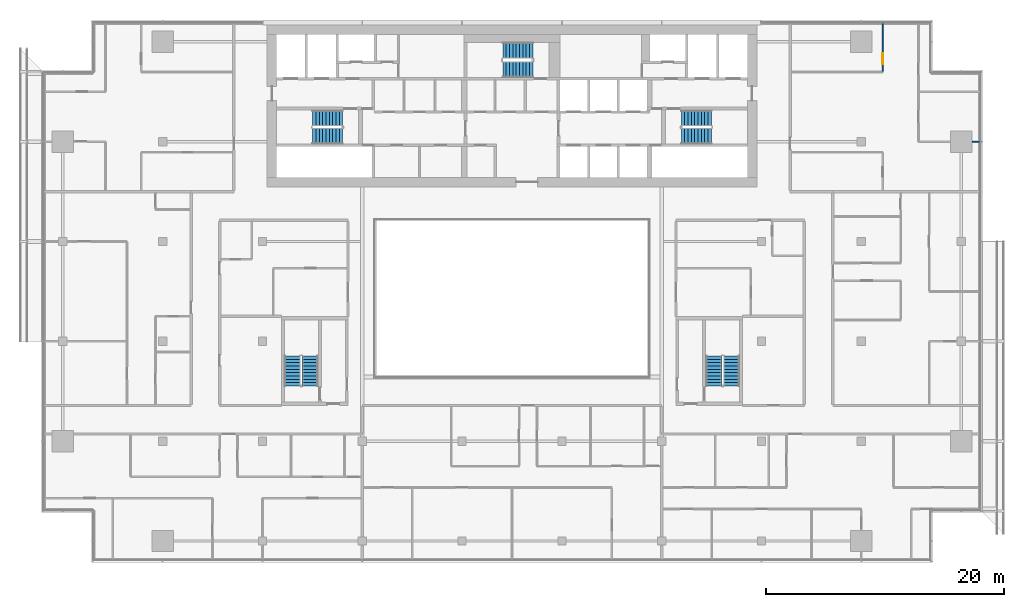
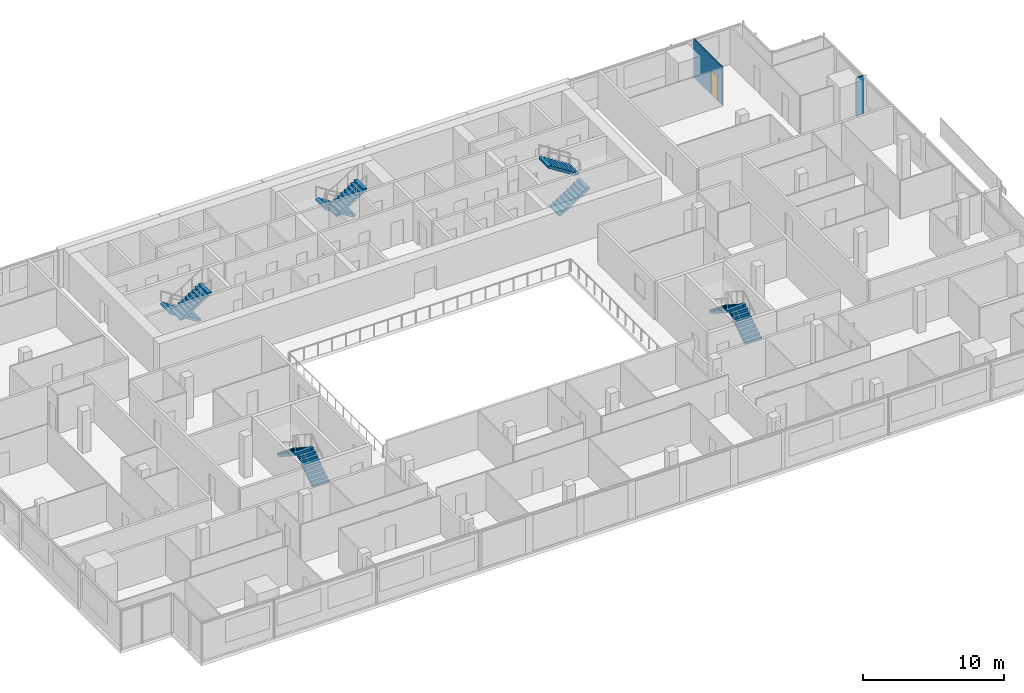
# One storey, part 23 of 27: 10 stair flights, 2 walls, 1 door, 1 opening, 5 elements without a shape of their own.
"""IFC4 building model written with IfcOpenShell, lengths in metres."""

import ifcopenshell
import ifcopenshell.guid

model = None  # the IFC model being written
_history = None  # IfcOwnerHistory: only IFC2X3 demands one
_inside = {}  # id of a spatial element -> (the spatial element, [elements in it])
_under = {}  # id of a project, library or spatial element -> (it, [spatial elements below it])
_declared = {}  # id of a project -> (the project, [libraries it declares])
_typed = {}  # id of a type object -> (the type object, [elements of that type])
_made_of = {}  # id of a material, layer set ... -> (it, [elements and type objects made of it])


def new_model(schema):
    """Start an empty IFC model of exactly this schema.

    Asked for "IFC4X3", IfcOpenShell would pick the latest addendum, in which some entities
    have other attributes; the version numbers below select the first issue.
    IFC2X3 requires an IfcOwnerHistory on every rooted entity: one is made here for all.
    """
    global model, _history
    if schema == "IFC4X3":
        model = ifcopenshell.file(schema_version=(4, 3, 0, 0))
    else:
        model = ifcopenshell.file(schema=schema)
    _inside.clear()
    _under.clear()
    _declared.clear()
    _typed.clear()
    _made_of.clear()
    _history = None
    if model.schema == "IFC2X3":
        org = make("IfcOrganization", Name="unknown")
        user = make(
            "IfcPersonAndOrganization",
            ThePerson=make("IfcPerson", FamilyName="unknown"),
            TheOrganization=org,
        )
        app = make(
            "IfcApplication",
            ApplicationDeveloper=org,
            Version="unknown",
            ApplicationFullName="unknown",
            ApplicationIdentifier="unknown",
        )
        _history = make(
            "IfcOwnerHistory",
            OwningUser=user,
            OwningApplication=app,
            ChangeAction="ADDED",
            CreationDate=0,
        )
    return model


def make(cls, **values):
    """One entity of the class cls with the attributes given. An attribute that is None is left unset."""
    return model.create_entity(
        cls, **{name: value for name, value in values.items() if value is not None}
    )


def rooted(cls, **values):
    """An entity with a GlobalId (a new one), such as an element, a storey or a relation."""
    return make(cls, GlobalId=ifcopenshell.guid.new(), OwnerHistory=_history, **values)


def si_unit(unit_type, name, prefix=None):
    """IfcSIUnit, for example si_unit("LENGTHUNIT", "METRE", prefix="MILLI")."""
    return make("IfcSIUnit", UnitType=unit_type, Prefix=prefix, Name=name)


def assignment(units):
    """IfcUnitAssignment: the units of a project."""
    return None if units is None else make("IfcUnitAssignment", Units=units)


def point(xyz):
    """IfcCartesianPoint."""
    return None if xyz is None else make("IfcCartesianPoint", Coordinates=xyz)


def direction(xyz):
    """IfcDirection."""
    return None if xyz is None else make("IfcDirection", DirectionRatios=xyz)


def frame(location, z_axis=None, x_axis=None):
    """IfcAxis2Placement3D, a coordinate frame: its origin and axes. An axis left out is left unset."""
    return make(
        "IfcAxis2Placement3D",
        Location=point(location),
        Axis=direction(z_axis),
        RefDirection=direction(x_axis),
    )


def frame_2d(location, x_axis=None):
    """IfcAxis2Placement2D, a coordinate frame in the plane: its origin and x axis."""
    return make(
        "IfcAxis2Placement2D", Location=point(location), RefDirection=direction(x_axis)
    )


def origin():
    """The frame at (0, 0, 0) with its axes left unset."""
    return frame((0.0, 0.0, 0.0))


def place(relative_to, where):
    """IfcLocalPlacement: puts the frame where relative to a parent placement (None: the world)."""
    return make(
        "IfcLocalPlacement", PlacementRelTo=relative_to, RelativePlacement=where
    )


def context(
    kind, dimensions, precision=None, world=None, true_north=None, identifier=None
):
    """IfcGeometricRepresentationContext, for example the 3D "Model" context."""
    return make(
        "IfcGeometricRepresentationContext",
        ContextIdentifier=identifier,
        ContextType=kind,
        CoordinateSpaceDimension=dimensions,
        Precision=precision,
        WorldCoordinateSystem=world,
        TrueNorth=true_north,
    )


def subcontext(parent, identifier, kind, view, scale=None):
    """IfcGeometricRepresentationSubContext, for example "Body" below "Model"."""
    return make(
        "IfcGeometricRepresentationSubContext",
        ContextIdentifier=identifier,
        ContextType=kind,
        ParentContext=parent,
        TargetScale=scale,
        TargetView=view,
    )


def project(units=None, contexts=None):
    """IfcProject with its units and contexts."""
    return rooted(
        "IfcProject",
        Name="project",
        RepresentationContexts=contexts,
        UnitsInContext=assignment(units),
    )


def spatial(cls, under=None, at=None, **own):
    """A site, building, storey or space (cls), placed at a placement, below another one or the project."""
    s = rooted(cls, ObjectPlacement=at, **own)
    if under is not None:
        _under.setdefault(under.id(), (under, []))[1].append(s)
    return s


def polyline(points):
    """IfcPolyline through the points."""
    return make("IfcPolyline", Points=[point(p) for p in points])


def profile(cls, at=None, kind="AREA", **sizes):
    """A parametric profile (cls). Its sizes go by their IFC names, for example OverallWidth=200.0."""
    return make(cls, ProfileType=kind, Position=at, **sizes)


def rectangle(**sizes):
    """IfcRectangleProfileDef."""
    return profile("IfcRectangleProfileDef", **sizes)


def outline(outer, holes=None, kind="AREA"):
    """IfcArbitraryClosedProfileDef: a profile drawn as a closed curve; with holes, ...WithVoids."""
    if holes is None:
        return make("IfcArbitraryClosedProfileDef", ProfileType=kind, OuterCurve=outer)
    return make(
        "IfcArbitraryProfileDefWithVoids",
        ProfileType=kind,
        OuterCurve=outer,
        InnerCurves=holes,
    )


def extrude(swept, where, along, depth):
    """IfcExtrudedAreaSolid: the profile swept, set in the frame where, extruded along a direction by depth."""
    return make(
        "IfcExtrudedAreaSolid",
        SweptArea=swept,
        Position=where,
        ExtrudedDirection=direction(along),
        Depth=depth,
    )


def shape(context_of_items, identifier, shape_type, items):
    """IfcShapeRepresentation: the items that make up one representation, for example the "Body"."""
    return make(
        "IfcShapeRepresentation",
        ContextOfItems=context_of_items,
        RepresentationIdentifier=identifier,
        RepresentationType=shape_type,
        Items=items,
    )


def material(Name=None, Category=None):
    """IfcMaterial."""
    return make("IfcMaterial", Name=Name, Category=Category)


def layer(
    of_material, thickness, ventilated=None, Name=None, Category=None, Priority=None
):
    """IfcMaterialLayer: one layer of a wall or slab, of a material (None: an air gap)."""
    return make(
        "IfcMaterialLayer",
        Material=of_material,
        LayerThickness=thickness,
        IsVentilated=ventilated,
        Name=Name,
        Category=Category,
        Priority=Priority,
    )


def layer_set(layers, Name=None):
    """IfcMaterialLayerSet."""
    return make("IfcMaterialLayerSet", MaterialLayers=layers, LayerSetName=Name)


def made_of(thing, what):
    """Note that an element or type object is made of a material, layer set ...; save() writes the relation."""
    if what is not None:
        _made_of.setdefault(what.id(), (what, []))[1].append(thing)
    return thing


def type_object(cls, material=None, **own):
    """A type object (cls), such as IfcWallType, which elements share."""
    return made_of(rooted(cls, **own), material)


def element(
    cls,
    number,
    at=None,
    inside=None,
    cuts=None,
    type_object=None,
    material=None,
    context=None,
    identifier="Body",
    shape_type=None,
    held_by="IfcProductDefinitionShape",
    body=None,
    shapes=None,
    **own,
):
    """One element of the class cls, such as IfcWall. Its Tag is "e" and its number.

    at: its placement. inside: the storey or other place that contains it. cuts: it is an
    opening in that element (IfcRelVoidsElement). A single representation is given by context,
    identifier, shape_type and body (its items); several are given by shapes. held_by: the class
    of the entity that holds the representations. save() writes the other relations.
    """
    e = rooted(cls, Tag="e%d" % number, ObjectPlacement=at, **own)
    if body is not None:
        shapes = [shape(context, identifier, shape_type, body)]
    if shapes is not None:
        e.Representation = make(held_by, Representations=shapes)
    if inside is not None:
        _inside.setdefault(inside.id(), (inside, []))[1].append(e)
    if cuts is not None:
        rooted(
            "IfcRelVoidsElement", RelatingBuildingElement=cuts, RelatedOpeningElement=e
        )
    if type_object is not None:
        _typed.setdefault(type_object.id(), (type_object, []))[1].append(e)
    return made_of(e, material)


def fill(opening, filler):
    """IfcRelFillsElement: the door or window that sits in an opening."""
    return rooted(
        "IfcRelFillsElement",
        RelatingOpeningElement=opening,
        RelatedBuildingElement=filler,
    )


def aggregate(whole, parts):
    """IfcRelAggregates: a whole, such as a stair, and the parts it consists of."""
    return rooted("IfcRelAggregates", RelatingObject=whole, RelatedObjects=parts)


def save(model, path):
    """Write the relations noted so far, then the file.

    IfcRelAggregates (storeys below a building ...), IfcRelContainedInSpatialStructure (elements
    in a storey), IfcRelDefinesByType, IfcRelAssociatesMaterial and IfcRelDeclares: one each for
    every whole, place, type object, material and project.
    """
    for whole, parts in _under.values():
        aggregate(whole, parts)
    for where, things in _inside.values():
        rooted(
            "IfcRelContainedInSpatialStructure",
            RelatedElements=things,
            RelatingStructure=where,
        )
    for kind, things in _typed.values():
        rooted("IfcRelDefinesByType", RelatedObjects=things, RelatingType=kind)
    for what, things in _made_of.values():
        rooted("IfcRelAssociatesMaterial", RelatedObjects=things, RelatingMaterial=what)
    for by, libraries in _declared.values():
        rooted("IfcRelDeclares", RelatingContext=by, RelatedDefinitions=libraries)
    model.write(path)


model = new_model("IFC4")

# Units and contexts
model_context = context("Model", 3, precision=1e-05, world=origin(), true_north=direction((0.0, 1.0)))
body_context = subcontext(model_context, "Body", "Model", "MODEL_VIEW")
ifc_project = project(units=[si_unit("LENGTHUNIT", "METRE"), si_unit("AREAUNIT", "SQUARE_METRE"), si_unit("VOLUMEUNIT", "CUBIC_METRE"), si_unit("PLANEANGLEUNIT", "RADIAN"), si_unit("MASSUNIT", "GRAM", prefix="KILO")], contexts=[model_context])

# Site, building, storey
site_placement = place(None, origin())
site = spatial("IfcSite", under=ifc_project, at=site_placement, CompositionType="ELEMENT")
building_placement = place(site_placement, origin())
building = spatial("IfcBuilding", under=site, at=building_placement, Name="Saffron Gate Tower", CompositionType="ELEMENT")
storey_placement = place(building_placement, frame((0.0, 0.0, 183.449951171875)))
storey = spatial("IfcBuildingStorey", under=building, at=storey_placement, Name="L45", CompositionType="ELEMENT", Elevation=183.449951171875)

# Wall
ifc_material_1 = material(Name="Plasterboard on steel studs", Category="steel")
ifc_layer = layer(ifc_material_1, 0.10009765625)
ifc_layer_set = layer_set([ifc_layer], Name="PW1 Partition 100")
wall_type = type_object("IfcWallType", Name="PW1 Partition 100", PredefinedType="PARTITIONING", material=ifc_layer_set)
wall_1_placement = place(storey_placement, frame((126.320068359375, 65.39990234375, 0.0), z_axis=(0.0, 0.0, 1.0), x_axis=(1.0, 0.0, 0.0)))
element("IfcWall", 1, at=wall_1_placement, inside=storey, type_object=wall_type, Name="Partition C4-52", PredefinedType="PARTITIONING", context=body_context, shape_type="SweptSolid", body=[
    extrude(rectangle(XDim=0.599853515625, YDim=0.10009765625, at=frame_2d((0.2998046875, 0.0))), origin(), (0.0, 0.0, 1.0), 3.320068359375),
])

# Wall, opening, door
wall_2_placement = place(storey_placement, frame((118.800048828125, 71.306396484375, 0.0), z_axis=(0.0, 0.0, 1.0), x_axis=(0.0, 1.0, 0.0)))
wall_2 = element("IfcWall", 2, at=wall_2_placement, inside=storey, type_object=wall_type, Name="Partition C4-107", PredefinedType="PARTITIONING", context=body_context, shape_type="SweptSolid", body=[
    extrude(rectangle(XDim=4.013671875, YDim=0.10009765625, at=frame_2d((2.0068359375, 0.0))), origin(), (0.0, 0.0, 1.0), 3.320068359375),
])
opening_placement = place(wall_2_placement, frame((0.621826171875, 0.0, 0.0)))
opening = element("IfcOpeningElement", 3, at=opening_placement, cuts=wall_2, Name="Opening C4-37", PredefinedType="OPENING", context=body_context, shape_type="SweptSolid", body=[
    extrude(rectangle(XDim=0.89990234375, YDim=2.10009765625, at=frame_2d((0.449951171875, 1.050048828125))), frame((0.0, 0.06005859375, 0.0), z_axis=(0.0, -1.0, 0.0), x_axis=(1.0, 0.0, 0.0)), (0.0, 0.0, 1.0), 0.1201171875),
])
ifc_material_2 = material(Name="Timber door set", Category="wood")
door_type = type_object("IfcDoorType", Name="RD1 Room door 900x2100", OperationType="NOTDEFINED", PredefinedType="DOOR", material=ifc_material_2)
door_placement = place(opening_placement, origin())
door = element("IfcDoor", 4, at=door_placement, inside=storey, type_object=door_type, Name="Door C4-37", OperationType="SINGLE_SWING_LEFT", OverallHeight=2.10009765625, OverallWidth=0.89990234375, PredefinedType="DOOR", context=body_context, shape_type="SweptSolid", body=[
    extrude(rectangle(XDim=0.89990234375, YDim=2.10009765625, at=frame_2d((0.449951171875, 1.050048828125))), frame((0.0, 0.02490234375, 0.0), z_axis=(0.0, -1.0, 0.0), x_axis=(1.0, 0.0, 0.0)), (0.0, 0.0, 1.0), 0.050048828125),
])
fill(opening, door)

# Stair, stair flights
ifc_material_3 = material(Name="Concrete C40", Category="concrete")
stair_type = type_object("IfcStairType", Name="ST7 Stair 1350 wide, 20 risers of 180", PredefinedType="HALF_TURN_STAIR", material=ifc_material_3)
stair_1_placement = place(storey_placement, origin())
stair_1 = element("IfcStair", 5, at=stair_1_placement, inside=storey, type_object=stair_type, Name="L45 Exit stair A", PredefinedType="HALF_TURN_STAIR")
stair_flight_type = type_object("IfcStairFlightType", Name="SF3 Stair flight 1350 wide, riser 180 going 280", PredefinedType="STRAIGHT", material=ifc_material_3)
stair_flight_1_placement = place(storey_placement, frame((73.35009765625, 67.375, 0.0), z_axis=(0.0, 0.0, 1.0), x_axis=(-1.0, 0.0, 0.0)))
stair_flight_1 = element("IfcStairFlight", 6, at=stair_flight_1_placement, type_object=stair_flight_type, Name="ST-A flight 1", NumberOfRisers=10, NumberOfTreads=9, PredefinedType="STRAIGHT", RiserHeight=0.18, TreadLength=0.28, context=body_context, shape_type="SweptSolid", body=[
    extrude(outline(polyline([(0.0, 0.0), (0.0, 0.179931640625), (0.280029296875, 0.179931640625), (0.280029296875, 0.360107421875), (0.56005859375, 0.360107421875), (0.56005859375, 0.5400390625), (0.840087890625, 0.5400390625), (0.840087890625, 0.719970703125), (1.1201171875, 0.719970703125), (1.1201171875, 0.89990234375), (1.39990234375, 0.89990234375), (1.39990234375, 1.080078125), (1.679931640625, 1.080078125), (1.679931640625, 1.260009765625), (1.9599609375, 1.260009765625), (1.9599609375, 1.43994140625), (2.239990234375, 1.43994140625), (2.239990234375, 1.6201171875), (2.52001953125, 1.6201171875), (2.52001953125, 1.800048828125), (2.52001953125, 1.44189453125), (0.277099609375, 0.0), (0.0, 0.0)])), frame((0.0, 0.675048828125, 0.0), z_axis=(0.0, -1.0, 0.0), x_axis=(1.0, 0.0, 0.0)), (0.0, 0.0, 1.0), 1.35009765625),
])
stair_flight_2_placement = place(storey_placement, frame((70.830078125, 65.875, 1.800048828125), z_axis=(0.0, 0.0, 1.0), x_axis=(1.0, 0.0, 0.0)))
stair_flight_2 = element("IfcStairFlight", 7, at=stair_flight_2_placement, type_object=stair_flight_type, Name="ST-A flight 2", NumberOfRisers=10, NumberOfTreads=9, PredefinedType="STRAIGHT", RiserHeight=0.18, TreadLength=0.28, context=body_context, shape_type="SweptSolid", body=[
    extrude(outline(polyline([(0.0, 0.0), (0.0, 0.179931640625), (0.280029296875, 0.179931640625), (0.280029296875, 0.360107421875), (0.56005859375, 0.360107421875), (0.56005859375, 0.5400390625), (0.840087890625, 0.5400390625), (0.840087890625, 0.719970703125), (1.1201171875, 0.719970703125), (1.1201171875, 0.89990234375), (1.39990234375, 0.89990234375), (1.39990234375, 1.080078125), (1.679931640625, 1.080078125), (1.679931640625, 1.260009765625), (1.9599609375, 1.260009765625), (1.9599609375, 1.43994140625), (2.239990234375, 1.43994140625), (2.239990234375, 1.6201171875), (2.52001953125, 1.6201171875), (2.52001953125, 1.800048828125), (2.52001953125, 1.44189453125), (0.277099609375, 0.0), (0.0, 0.0)])), frame((0.0, 0.675048828125, 0.0), z_axis=(0.0, -1.0, 0.0), x_axis=(1.0, 0.0, 0.0)), (0.0, 0.0, 1.0), 1.35009765625),
])
aggregate(stair_1, [stair_flight_1, stair_flight_2])

stair_2_placement = place(storey_placement, origin())
stair_2 = element("IfcStair", 8, at=stair_2_placement, inside=storey, type_object=stair_type, Name="L45 Exit stair B", PredefinedType="HALF_TURN_STAIR")
stair_flight_3_placement = place(storey_placement, frame((101.85009765625, 65.875, 0.0), z_axis=(0.0, 0.0, 1.0), x_axis=(1.0, 0.0, 0.0)))
stair_flight_3 = element("IfcStairFlight", 9, at=stair_flight_3_placement, type_object=stair_flight_type, Name="ST-B flight 1", NumberOfRisers=10, NumberOfTreads=9, PredefinedType="STRAIGHT", RiserHeight=0.18, TreadLength=0.28, context=body_context, shape_type="SweptSolid", body=[
    extrude(outline(polyline([(0.0, 0.0), (0.0, 0.179931640625), (0.280029296875, 0.179931640625), (0.280029296875, 0.360107421875), (0.56005859375, 0.360107421875), (0.56005859375, 0.5400390625), (0.840087890625, 0.5400390625), (0.840087890625, 0.719970703125), (1.1201171875, 0.719970703125), (1.1201171875, 0.89990234375), (1.39990234375, 0.89990234375), (1.39990234375, 1.080078125), (1.679931640625, 1.080078125), (1.679931640625, 1.260009765625), (1.9599609375, 1.260009765625), (1.9599609375, 1.43994140625), (2.239990234375, 1.43994140625), (2.239990234375, 1.6201171875), (2.52001953125, 1.6201171875), (2.52001953125, 1.800048828125), (2.52001953125, 1.44189453125), (0.277099609375, 0.0), (0.0, 0.0)])), frame((0.0, 0.675048828125, 0.0), z_axis=(0.0, -1.0, 0.0), x_axis=(1.0, 0.0, 0.0)), (0.0, 0.0, 1.0), 1.35009765625),
])
stair_flight_4_placement = place(storey_placement, frame((104.3701171875, 67.375, 1.800048828125), z_axis=(0.0, 0.0, 1.0), x_axis=(-1.0, 0.0, 0.0)))
stair_flight_4 = element("IfcStairFlight", 10, at=stair_flight_4_placement, type_object=stair_flight_type, Name="ST-B flight 2", NumberOfRisers=10, NumberOfTreads=9, PredefinedType="STRAIGHT", RiserHeight=0.18, TreadLength=0.28, context=body_context, shape_type="SweptSolid", body=[
    extrude(outline(polyline([(0.0, 0.0), (0.0, 0.179931640625), (0.280029296875, 0.179931640625), (0.280029296875, 0.360107421875), (0.56005859375, 0.360107421875), (0.56005859375, 0.5400390625), (0.840087890625, 0.5400390625), (0.840087890625, 0.719970703125), (1.1201171875, 0.719970703125), (1.1201171875, 0.89990234375), (1.39990234375, 0.89990234375), (1.39990234375, 1.080078125), (1.679931640625, 1.080078125), (1.679931640625, 1.260009765625), (1.9599609375, 1.260009765625), (1.9599609375, 1.43994140625), (2.239990234375, 1.43994140625), (2.239990234375, 1.6201171875), (2.52001953125, 1.6201171875), (2.52001953125, 1.800048828125), (2.52001953125, 1.44189453125), (0.277099609375, 0.0), (0.0, 0.0)])), frame((0.0, 0.675048828125, 0.0), z_axis=(0.0, -1.0, 0.0), x_axis=(1.0, 0.0, 0.0)), (0.0, 0.0, 1.0), 1.35009765625),
])
aggregate(stair_2, [stair_flight_3, stair_flight_4])

stair_3_placement = place(storey_placement, origin())
stair_3 = element("IfcStair", 11, at=stair_3_placement, inside=storey, type_object=stair_type, Name="L45 Exit stair C", PredefinedType="HALF_TURN_STAIR")
stair_flight_5_placement = place(storey_placement, frame((89.35009765625, 73.074951171875, 0.0), z_axis=(0.0, 0.0, 1.0), x_axis=(-1.0, 0.0, 0.0)))
stair_flight_5 = element("IfcStairFlight", 12, at=stair_flight_5_placement, type_object=stair_flight_type, Name="ST-C flight 1", NumberOfRisers=10, NumberOfTreads=9, PredefinedType="STRAIGHT", RiserHeight=0.18, TreadLength=0.28, context=body_context, shape_type="SweptSolid", body=[
    extrude(outline(polyline([(0.0, 0.0), (0.0, 0.179931640625), (0.280029296875, 0.179931640625), (0.280029296875, 0.360107421875), (0.56005859375, 0.360107421875), (0.56005859375, 0.5400390625), (0.840087890625, 0.5400390625), (0.840087890625, 0.719970703125), (1.1201171875, 0.719970703125), (1.1201171875, 0.89990234375), (1.39990234375, 0.89990234375), (1.39990234375, 1.080078125), (1.679931640625, 1.080078125), (1.679931640625, 1.260009765625), (1.9599609375, 1.260009765625), (1.9599609375, 1.43994140625), (2.239990234375, 1.43994140625), (2.239990234375, 1.6201171875), (2.52001953125, 1.6201171875), (2.52001953125, 1.800048828125), (2.52001953125, 1.44189453125), (0.277099609375, 0.0), (0.0, 0.0)])), frame((0.0, 0.675048828125, 0.0), z_axis=(0.0, -1.0, 0.0), x_axis=(1.0, 0.0, 0.0)), (0.0, 0.0, 1.0), 1.35009765625),
])
stair_flight_6_placement = place(storey_placement, frame((86.830078125, 71.47509765625, 1.800048828125), z_axis=(0.0, 0.0, 1.0), x_axis=(1.0, 0.0, 0.0)))
stair_flight_6 = element("IfcStairFlight", 13, at=stair_flight_6_placement, type_object=stair_flight_type, Name="ST-C flight 2", NumberOfRisers=10, NumberOfTreads=9, PredefinedType="STRAIGHT", RiserHeight=0.18, TreadLength=0.28, context=body_context, shape_type="SweptSolid", body=[
    extrude(outline(polyline([(0.0, 0.0), (0.0, 0.179931640625), (0.280029296875, 0.179931640625), (0.280029296875, 0.360107421875), (0.56005859375, 0.360107421875), (0.56005859375, 0.5400390625), (0.840087890625, 0.5400390625), (0.840087890625, 0.719970703125), (1.1201171875, 0.719970703125), (1.1201171875, 0.89990234375), (1.39990234375, 0.89990234375), (1.39990234375, 1.080078125), (1.679931640625, 1.080078125), (1.679931640625, 1.260009765625), (1.9599609375, 1.260009765625), (1.9599609375, 1.43994140625), (2.239990234375, 1.43994140625), (2.239990234375, 1.6201171875), (2.52001953125, 1.6201171875), (2.52001953125, 1.800048828125), (2.52001953125, 1.44189453125), (0.277099609375, 0.0), (0.0, 0.0)])), frame((0.0, 0.675048828125, 0.0), z_axis=(0.0, -1.0, 0.0), x_axis=(1.0, 0.0, 0.0)), (0.0, 0.0, 1.0), 1.35009765625),
])
aggregate(stair_3, [stair_flight_5, stair_flight_6])

stair_4_placement = place(storey_placement, origin())
stair_4 = element("IfcStair", 14, at=stair_4_placement, inside=storey, type_object=stair_type, Name="L45 Exit stair D", PredefinedType="HALF_TURN_STAIR")
stair_flight_7_placement = place(storey_placement, frame((70.625, 44.85009765625, 0.0), z_axis=(0.0, 0.0, 1.0), x_axis=(0.0, 1.0, 0.0)))
stair_flight_7 = element("IfcStairFlight", 15, at=stair_flight_7_placement, type_object=stair_flight_type, Name="ST-D flight 1", NumberOfRisers=10, NumberOfTreads=9, PredefinedType="STRAIGHT", RiserHeight=0.18, TreadLength=0.28, context=body_context, shape_type="SweptSolid", body=[
    extrude(outline(polyline([(0.0, 0.0), (0.0, 0.179931640625), (0.280029296875, 0.179931640625), (0.280029296875, 0.360107421875), (0.56005859375, 0.360107421875), (0.56005859375, 0.5400390625), (0.840087890625, 0.5400390625), (0.840087890625, 0.719970703125), (1.1201171875, 0.719970703125), (1.1201171875, 0.89990234375), (1.39990234375, 0.89990234375), (1.39990234375, 1.080078125), (1.679931640625, 1.080078125), (1.679931640625, 1.260009765625), (1.9599609375, 1.260009765625), (1.9599609375, 1.43994140625), (2.239990234375, 1.43994140625), (2.239990234375, 1.6201171875), (2.52001953125, 1.6201171875), (2.52001953125, 1.800048828125), (2.52001953125, 1.44189453125), (0.277099609375, 0.0), (0.0, 0.0)])), frame((0.0, 0.675048828125, 0.0), z_axis=(0.0, -1.0, 0.0), x_axis=(1.0, 0.0, 0.0)), (0.0, 0.0, 1.0), 1.35009765625),
])
stair_flight_8_placement = place(storey_placement, frame((69.125, 47.3701171875, 1.800048828125), z_axis=(0.0, 0.0, 1.0), x_axis=(0.0, -1.0, 0.0)))
stair_flight_8 = element("IfcStairFlight", 16, at=stair_flight_8_placement, type_object=stair_flight_type, Name="ST-D flight 2", NumberOfRisers=10, NumberOfTreads=9, PredefinedType="STRAIGHT", RiserHeight=0.18, TreadLength=0.28, context=body_context, shape_type="SweptSolid", body=[
    extrude(outline(polyline([(0.0, 0.0), (0.0, 0.179931640625), (0.280029296875, 0.179931640625), (0.280029296875, 0.360107421875), (0.56005859375, 0.360107421875), (0.56005859375, 0.5400390625), (0.840087890625, 0.5400390625), (0.840087890625, 0.719970703125), (1.1201171875, 0.719970703125), (1.1201171875, 0.89990234375), (1.39990234375, 0.89990234375), (1.39990234375, 1.080078125), (1.679931640625, 1.080078125), (1.679931640625, 1.260009765625), (1.9599609375, 1.260009765625), (1.9599609375, 1.43994140625), (2.239990234375, 1.43994140625), (2.239990234375, 1.6201171875), (2.52001953125, 1.6201171875), (2.52001953125, 1.800048828125), (2.52001953125, 1.44189453125), (0.277099609375, 0.0), (0.0, 0.0)])), frame((0.0, 0.675048828125, 0.0), z_axis=(0.0, -1.0, 0.0), x_axis=(1.0, 0.0, 0.0)), (0.0, 0.0, 1.0), 1.35009765625),
])
aggregate(stair_4, [stair_flight_7, stair_flight_8])

stair_5_placement = place(storey_placement, origin())
stair_5 = element("IfcStair", 17, at=stair_5_placement, inside=storey, type_object=stair_type, Name="L45 Exit stair E", PredefinedType="HALF_TURN_STAIR")
stair_flight_9_placement = place(storey_placement, frame((106.074951171875, 44.85009765625, 0.0), z_axis=(0.0, 0.0, 1.0), x_axis=(0.0, 1.0, 0.0)))
stair_flight_9 = element("IfcStairFlight", 18, at=stair_flight_9_placement, type_object=stair_flight_type, Name="ST-E flight 1", NumberOfRisers=10, NumberOfTreads=9, PredefinedType="STRAIGHT", RiserHeight=0.18, TreadLength=0.28, context=body_context, shape_type="SweptSolid", body=[
    extrude(outline(polyline([(0.0, 0.0), (0.0, 0.179931640625), (0.280029296875, 0.179931640625), (0.280029296875, 0.360107421875), (0.56005859375, 0.360107421875), (0.56005859375, 0.5400390625), (0.840087890625, 0.5400390625), (0.840087890625, 0.719970703125), (1.1201171875, 0.719970703125), (1.1201171875, 0.89990234375), (1.39990234375, 0.89990234375), (1.39990234375, 1.080078125), (1.679931640625, 1.080078125), (1.679931640625, 1.260009765625), (1.9599609375, 1.260009765625), (1.9599609375, 1.43994140625), (2.239990234375, 1.43994140625), (2.239990234375, 1.6201171875), (2.52001953125, 1.6201171875), (2.52001953125, 1.800048828125), (2.52001953125, 1.44189453125), (0.277099609375, 0.0), (0.0, 0.0)])), frame((0.0, 0.675048828125, 0.0), z_axis=(0.0, -1.0, 0.0), x_axis=(1.0, 0.0, 0.0)), (0.0, 0.0, 1.0), 1.35009765625),
])
stair_flight_10_placement = place(storey_placement, frame((104.574951171875, 47.3701171875, 1.800048828125), z_axis=(0.0, 0.0, 1.0), x_axis=(0.0, -1.0, 0.0)))
stair_flight_10 = element("IfcStairFlight", 19, at=stair_flight_10_placement, type_object=stair_flight_type, Name="ST-E flight 2", NumberOfRisers=10, NumberOfTreads=9, PredefinedType="STRAIGHT", RiserHeight=0.18, TreadLength=0.28, context=body_context, shape_type="SweptSolid", body=[
    extrude(outline(polyline([(0.0, 0.0), (0.0, 0.179931640625), (0.280029296875, 0.179931640625), (0.280029296875, 0.360107421875), (0.56005859375, 0.360107421875), (0.56005859375, 0.5400390625), (0.840087890625, 0.5400390625), (0.840087890625, 0.719970703125), (1.1201171875, 0.719970703125), (1.1201171875, 0.89990234375), (1.39990234375, 0.89990234375), (1.39990234375, 1.080078125), (1.679931640625, 1.080078125), (1.679931640625, 1.260009765625), (1.9599609375, 1.260009765625), (1.9599609375, 1.43994140625), (2.239990234375, 1.43994140625), (2.239990234375, 1.6201171875), (2.52001953125, 1.6201171875), (2.52001953125, 1.800048828125), (2.52001953125, 1.44189453125), (0.277099609375, 0.0), (0.0, 0.0)])), frame((0.0, 0.675048828125, 0.0), z_axis=(0.0, -1.0, 0.0), x_axis=(1.0, 0.0, 0.0)), (0.0, 0.0, 1.0), 1.35009765625),
])
aggregate(stair_5, [stair_flight_9, stair_flight_10])

save(model, "model.ifc")
